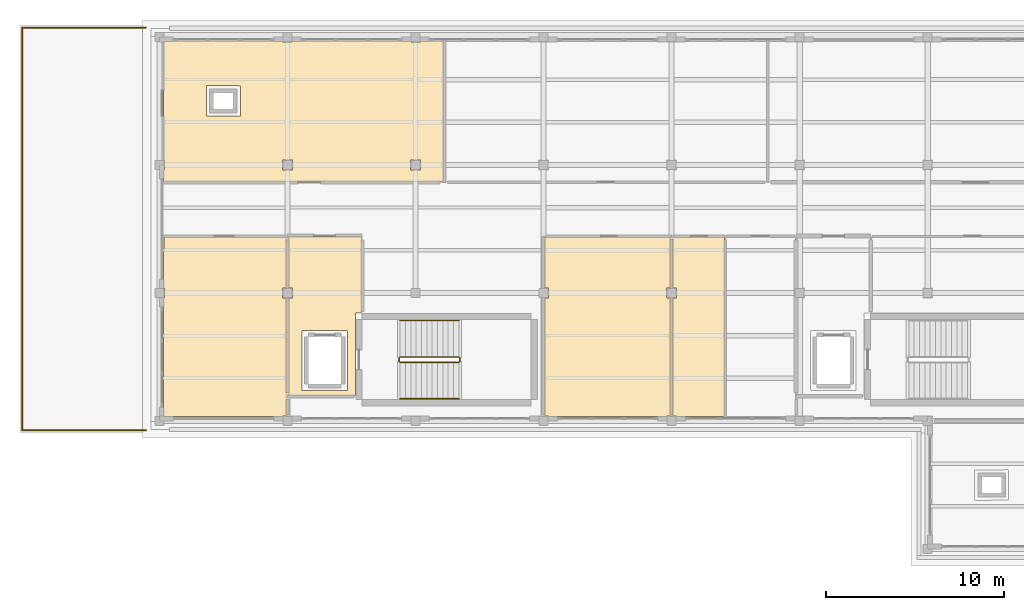
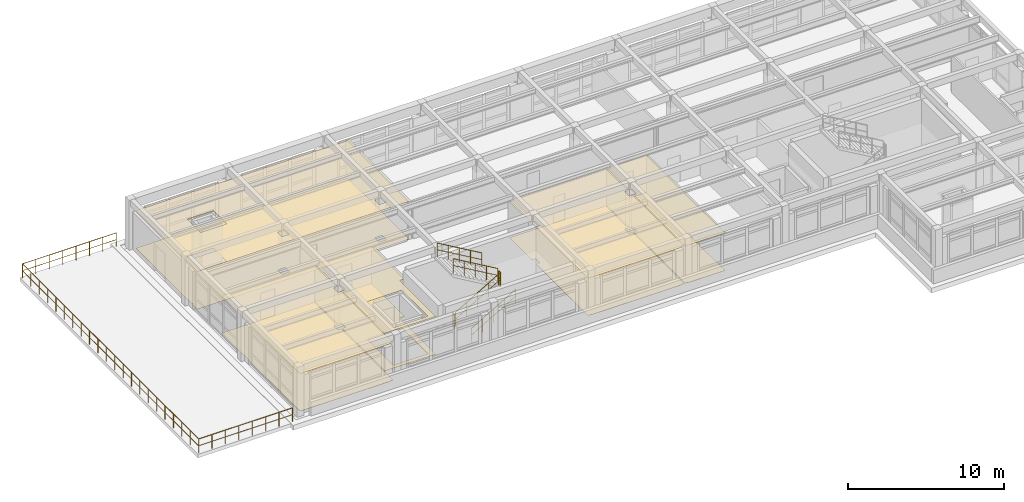
# One storey, part 16 of 18: 10 coverings, 9 railings.
"""IFC4 building model written with IfcOpenShell, lengths in metres."""

from ifc_helpers import new_model, si_unit, direction, frame, origin, origin_2d, place, context, subcontext, project, spatial, polyline, circle, outline, extrude, material, layer, layer_set, type_object, element, save


model = new_model("IFC4")

# Units and contexts
model_context = context("Model", 3, precision=1e-05, world=origin(), true_north=direction((0.0, 1.0)))
body_context = subcontext(model_context, "Body", "Model", "MODEL_VIEW")
ifc_project = project(units=[si_unit("LENGTHUNIT", "METRE"), si_unit("AREAUNIT", "SQUARE_METRE"), si_unit("VOLUMEUNIT", "CUBIC_METRE"), si_unit("PLANEANGLEUNIT", "RADIAN"), si_unit("MASSUNIT", "GRAM", prefix="KILO")], contexts=[model_context])

# Site, building, storey
site_placement = place(None, origin())
site = spatial("IfcSite", under=ifc_project, at=site_placement, CompositionType="ELEMENT")
building_placement = place(site_placement, origin())
building = spatial("IfcBuilding", under=site, at=building_placement, Name="Solenvale Faculty of Natural Sciences", CompositionType="ELEMENT")
storey_placement = place(building_placement, frame((0.0, 0.0, 39.60009765625)))
storey = spatial("IfcBuildingStorey", under=building, at=storey_placement, Name="L09", CompositionType="ELEMENT", Elevation=39.60009765625)

# Coverings
ifc_material_1 = material(Name="Acoustic mineral-timber ceiling", Category="wood")
ifc_layer_1 = layer(ifc_material_1, 0.02490234375)
ifc_layer_set_1 = layer_set([ifc_layer_1], Name="Acoustic mineral-timber ceiling")
covering_type_1 = type_object("IfcCoveringType", Name="COV-CEIL-AC25", PredefinedType="CEILING", material=ifc_layer_set_1)
covering_1_placement = place(storey_placement, frame((0.0, 0.0, 2.934814453125)))
element("IfcCovering", 1, at=covering_1_placement, inside=storey, type_object=covering_type_1, Name="L09 Firefighting Lobby C4 Acoustic Ceiling", PredefinedType="CEILING", context=body_context, shape_type="SweptSolid", body=[
    extrude(outline(polyline([(104.97998046875, 99.7099609375), (104.9560546875, 99.680908203125), (104.64794921875, 99.679931640625), (104.6201171875, 99.652099609375), (104.613037109375, 95.031005859375), (104.590087890625, 95.02001953125), (100.8310546875, 95.027099609375), (100.820068359375, 95.050048828125), (100.820068359375, 100.4951171875), (100.846923828125, 100.52490234375), (101.073974609375, 100.531005859375), (101.074951171875, 101.06396484375), (101.06396484375, 101.074951171875), (100.846923828125, 101.074951171875), (100.820068359375, 101.10205078125), (100.820068359375, 103.949951171875), (100.8291015625, 103.970947265625), (100.85009765625, 103.97998046875), (104.949951171875, 103.97998046875), (104.970947265625, 103.970947265625), (104.97998046875, 103.949951171875), (104.97998046875, 99.7099609375)]), holes=[polyline([(101.64794921875, 98.679931640625), (101.6279296875, 98.669921875), (101.6201171875, 98.64990234375), (101.6259765625, 95.33203125), (101.64990234375, 95.320068359375), (104.16796875, 95.325927734375), (104.179931640625, 95.35009765625), (104.174072265625, 98.66796875), (104.14990234375, 98.679931640625), (101.64794921875, 98.679931640625)])]), origin(), (0.0, 0.0, 1.0), 0.025146484375),
])
covering_2_placement = place(storey_placement, frame((0.0, 0.0, 2.934814453125)))
element("IfcCovering", 2, at=covering_2_placement, inside=storey, type_object=covering_type_1, Name="L09 Biophysics and Neurobiology Research Laboratory Acoustic Ceiling", PredefinedType="CEILING", context=body_context, shape_type="SweptSolid", body=[
    extrude(outline(polyline([(93.840087890625, 114.89501953125), (93.847900390625, 114.916015625), (93.905029296875, 114.9599609375), (100.4951171875, 114.9599609375), (100.535888671875, 114.925048828125), (101.06591796875, 114.925048828125), (101.10498046875, 114.9599609375), (107.695068359375, 114.9599609375), (107.736083984375, 114.925048828125), (108.26611328125, 114.925048828125), (108.304931640625, 114.9599609375), (109.56396484375, 114.9560546875), (109.580078125, 114.929931640625), (109.575927734375, 107.055908203125), (109.550048828125, 107.0400390625), (93.85595703125, 107.0439453125), (93.840087890625, 107.070068359375), (93.840087890625, 107.695068359375), (93.875, 107.73388671875), (93.875, 108.263916015625), (93.840087890625, 108.304931640625), (93.840087890625, 114.89501953125)]), holes=[polyline([(108.263916015625, 107.72509765625), (108.27490234375, 107.736083984375), (108.27197265625, 108.27197265625), (107.72802734375, 108.27197265625), (107.72802734375, 107.72802734375), (108.263916015625, 107.72509765625)]), polyline([(100.52490234375, 107.736083984375), (100.535888671875, 107.72509765625), (101.072021484375, 107.72802734375), (101.072021484375, 108.27197265625), (100.528076171875, 108.27197265625), (100.52490234375, 107.736083984375)]), polyline([(96.26806640625, 112.4599609375), (96.248046875, 112.449951171875), (96.239990234375, 112.429931640625), (96.239990234375, 110.77001953125), (96.25, 110.748046875), (98.1298828125, 110.739990234375), (98.152099609375, 110.75), (98.159912109375, 112.429931640625), (98.14990234375, 112.451904296875), (96.26806640625, 112.4599609375)])]), origin(), (0.0, 0.0, 1.0), 0.025146484375),
])
covering_3_placement = place(storey_placement, frame((0.0, 0.0, 2.934814453125)))
element("IfcCovering", 3, at=covering_3_placement, inside=storey, type_object=covering_type_1, Name="L09 Seminar Room Acoustic Ceiling", PredefinedType="CEILING", context=body_context, shape_type="SweptSolid", body=[
    extrude(outline(polyline([(93.905029296875, 93.840087890625), (93.884033203125, 93.847900390625), (93.840087890625, 93.905029296875), (93.840087890625, 100.4951171875), (93.875, 100.535888671875), (93.875, 101.06591796875), (93.840087890625, 101.10498046875), (93.844970703125, 103.947021484375), (93.8701171875, 103.9599609375), (100.7470703125, 103.955078125), (100.760009765625, 103.929931640625), (100.760009765625, 101.10205078125), (100.73291015625, 101.074951171875), (100.52587890625, 101.069091796875), (100.52490234375, 100.535888671875), (100.533935546875, 100.52490234375), (100.736083984375, 100.52392578125), (100.760009765625, 100.4951171875), (100.760009765625, 95.0), (100.780029296875, 94.950927734375), (100.77490234375, 93.887939453125), (100.7529296875, 93.875), (100.532958984375, 93.875), (100.4951171875, 93.840087890625), (93.905029296875, 93.840087890625)])), origin(), (0.0, 0.0, 1.0), 0.025146484375),
])
covering_4_placement = place(storey_placement, frame((0.0, 0.0, 2.934814453125)))
element("IfcCovering", 4, at=covering_4_placement, inside=storey, type_object=covering_type_1, Name="L09 Public Washroom Acoustic Ceiling", PredefinedType="CEILING", context=body_context, shape_type="SweptSolid", body=[
    extrude(outline(polyline([(115.5048828125, 93.840087890625), (115.467041015625, 93.875), (115.2470703125, 93.875), (115.219970703125, 93.905029296875), (115.219970703125, 100.4951171875), (115.243896484375, 100.52392578125), (115.464111328125, 100.52490234375), (115.47509765625, 100.535888671875), (115.47412109375, 101.069091796875), (115.2470703125, 101.074951171875), (115.219970703125, 101.10205078125), (115.22509765625, 103.947021484375), (115.25, 103.9599609375), (122.366943359375, 103.955078125), (122.3798828125, 103.929931640625), (122.3798828125, 101.10205078125), (122.35302734375, 101.074951171875), (122.1259765625, 101.069091796875), (122.125, 100.535888671875), (122.135986328125, 100.52490234375), (122.35595703125, 100.52392578125), (122.3798828125, 100.4951171875), (122.375, 93.887939453125), (122.35302734375, 93.875), (122.133056640625, 93.875), (122.094970703125, 93.840087890625), (115.5048828125, 93.840087890625)])), origin(), (0.0, 0.0, 1.0), 0.025146484375),
])
covering_5_placement = place(storey_placement, frame((0.0, 0.0, 2.934814453125)))
element("IfcCovering", 5, at=covering_5_placement, inside=storey, type_object=covering_type_1, Name="L09 Accessible Washroom Acoustic Ceiling", PredefinedType="CEILING", context=body_context, shape_type="SweptSolid", body=[
    extrude(outline(polyline([(122.705078125, 93.840087890625), (122.6669921875, 93.875), (122.467041015625, 93.875), (122.43994140625, 93.905029296875), (122.43994140625, 100.4951171875), (122.464111328125, 100.52392578125), (122.666015625, 100.52490234375), (122.675048828125, 100.535888671875), (122.674072265625, 101.069091796875), (122.467041015625, 101.074951171875), (122.43994140625, 101.10205078125), (122.44091796875, 103.93896484375), (122.469970703125, 103.9599609375), (125.35888671875, 103.958984375), (125.3798828125, 103.929931640625), (125.37890625, 93.861083984375), (125.35009765625, 93.840087890625), (122.705078125, 93.840087890625)])), origin(), (0.0, 0.0, 1.0), 0.025146484375),
])
ifc_material_2 = material(Name="Polished slate terrazzo flooring", Category="masonry")
ifc_layer_2 = layer(ifc_material_2, 0.01806640625)
ifc_layer_set_2 = layer_set([ifc_layer_2], Name="Polished slate terrazzo flooring")
covering_type_2 = type_object("IfcCoveringType", Name="COV-FLR-TRZ18", PredefinedType="FLOORING", material=ifc_layer_set_2)
covering_6_placement = place(storey_placement, origin())
element("IfcCovering", 6, at=covering_6_placement, inside=storey, type_object=covering_type_2, Name="L09 Firefighting Lobby C4 Floor Finish", PredefinedType="FLOORING", context=body_context, shape_type="SweptSolid", body=[
    extrude(outline(polyline([(104.97998046875, 99.7099609375), (104.9560546875, 99.680908203125), (104.64794921875, 99.679931640625), (104.6201171875, 99.652099609375), (104.613037109375, 95.031005859375), (104.590087890625, 95.02001953125), (100.8310546875, 95.027099609375), (100.820068359375, 95.050048828125), (100.820068359375, 100.4951171875), (100.846923828125, 100.52490234375), (101.073974609375, 100.531005859375), (101.074951171875, 101.06396484375), (101.06396484375, 101.074951171875), (100.846923828125, 101.074951171875), (100.820068359375, 101.10205078125), (100.820068359375, 103.949951171875), (100.8291015625, 103.970947265625), (100.85009765625, 103.97998046875), (104.949951171875, 103.97998046875), (104.970947265625, 103.970947265625), (104.97998046875, 103.949951171875), (104.97998046875, 99.7099609375)]), holes=[polyline([(101.64794921875, 98.679931640625), (101.6279296875, 98.669921875), (101.6201171875, 98.64990234375), (101.6259765625, 95.33203125), (101.64990234375, 95.320068359375), (104.16796875, 95.325927734375), (104.179931640625, 95.35009765625), (104.174072265625, 98.66796875), (104.14990234375, 98.679931640625), (101.64794921875, 98.679931640625)])]), origin(), (0.0, 0.0, 1.0), 0.017822265625),
])
covering_7_placement = place(storey_placement, origin())
element("IfcCovering", 7, at=covering_7_placement, inside=storey, type_object=covering_type_2, Name="L09 Seminar Room Floor Finish", PredefinedType="FLOORING", context=body_context, shape_type="SweptSolid", body=[
    extrude(outline(polyline([(93.905029296875, 93.840087890625), (93.884033203125, 93.847900390625), (93.840087890625, 93.905029296875), (93.840087890625, 100.4951171875), (93.875, 100.535888671875), (93.875, 101.06591796875), (93.840087890625, 101.10498046875), (93.844970703125, 103.947021484375), (93.8701171875, 103.9599609375), (100.7470703125, 103.955078125), (100.760009765625, 103.929931640625), (100.760009765625, 101.10205078125), (100.73291015625, 101.074951171875), (100.52587890625, 101.069091796875), (100.52490234375, 100.535888671875), (100.533935546875, 100.52490234375), (100.736083984375, 100.52392578125), (100.760009765625, 100.4951171875), (100.760009765625, 95.0), (100.780029296875, 94.950927734375), (100.77490234375, 93.887939453125), (100.7529296875, 93.875), (100.532958984375, 93.875), (100.4951171875, 93.840087890625), (93.905029296875, 93.840087890625)])), origin(), (0.0, 0.0, 1.0), 0.017822265625),
])
covering_8_placement = place(storey_placement, origin())
element("IfcCovering", 8, at=covering_8_placement, inside=storey, type_object=covering_type_2, Name="L09 Public Washroom Floor Finish", PredefinedType="FLOORING", context=body_context, shape_type="SweptSolid", body=[
    extrude(outline(polyline([(115.5048828125, 93.840087890625), (115.467041015625, 93.875), (115.2470703125, 93.875), (115.219970703125, 93.905029296875), (115.219970703125, 100.4951171875), (115.243896484375, 100.52392578125), (115.464111328125, 100.52490234375), (115.47509765625, 100.535888671875), (115.47412109375, 101.069091796875), (115.2470703125, 101.074951171875), (115.219970703125, 101.10205078125), (115.22509765625, 103.947021484375), (115.25, 103.9599609375), (122.366943359375, 103.955078125), (122.3798828125, 103.929931640625), (122.3798828125, 101.10205078125), (122.35302734375, 101.074951171875), (122.1259765625, 101.069091796875), (122.125, 100.535888671875), (122.135986328125, 100.52490234375), (122.35595703125, 100.52392578125), (122.3798828125, 100.4951171875), (122.375, 93.887939453125), (122.35302734375, 93.875), (122.133056640625, 93.875), (122.094970703125, 93.840087890625), (115.5048828125, 93.840087890625)])), origin(), (0.0, 0.0, 1.0), 0.017822265625),
])
covering_9_placement = place(storey_placement, origin())
element("IfcCovering", 9, at=covering_9_placement, inside=storey, type_object=covering_type_2, Name="L09 Accessible Washroom Floor Finish", PredefinedType="FLOORING", context=body_context, shape_type="SweptSolid", body=[
    extrude(outline(polyline([(122.705078125, 93.840087890625), (122.6669921875, 93.875), (122.467041015625, 93.875), (122.43994140625, 93.905029296875), (122.43994140625, 100.4951171875), (122.464111328125, 100.52392578125), (122.666015625, 100.52490234375), (122.675048828125, 100.535888671875), (122.674072265625, 101.069091796875), (122.467041015625, 101.074951171875), (122.43994140625, 101.10205078125), (122.44091796875, 103.93896484375), (122.469970703125, 103.9599609375), (125.35888671875, 103.958984375), (125.3798828125, 103.929931640625), (125.37890625, 93.861083984375), (125.35009765625, 93.840087890625), (122.705078125, 93.840087890625)])), origin(), (0.0, 0.0, 1.0), 0.017822265625),
])
ifc_material_3 = material(Name="Seamless laboratory vinyl flooring")
ifc_layer_3 = layer(ifc_material_3, 0.008056640625)
ifc_layer_set_3 = layer_set([ifc_layer_3], Name="Seamless laboratory vinyl flooring")
covering_type_3 = type_object("IfcCoveringType", Name="COV-FLR-VNL08", PredefinedType="FLOORING", material=ifc_layer_set_3)
covering_10_placement = place(storey_placement, origin())
element("IfcCovering", 10, at=covering_10_placement, inside=storey, type_object=covering_type_3, Name="L09 Biophysics and Neurobiology Research Laboratory Floor Finish", PredefinedType="FLOORING", context=body_context, shape_type="SweptSolid", body=[
    extrude(outline(polyline([(93.840087890625, 114.89501953125), (93.847900390625, 114.916015625), (93.905029296875, 114.9599609375), (100.4951171875, 114.9599609375), (100.535888671875, 114.925048828125), (101.06591796875, 114.925048828125), (101.10498046875, 114.9599609375), (107.695068359375, 114.9599609375), (107.736083984375, 114.925048828125), (108.26611328125, 114.925048828125), (108.304931640625, 114.9599609375), (109.56396484375, 114.9560546875), (109.580078125, 114.929931640625), (109.575927734375, 107.055908203125), (109.550048828125, 107.0400390625), (93.85595703125, 107.0439453125), (93.840087890625, 107.070068359375), (93.840087890625, 107.695068359375), (93.875, 107.73388671875), (93.875, 108.263916015625), (93.840087890625, 108.304931640625), (93.840087890625, 114.89501953125)]), holes=[polyline([(108.263916015625, 107.72509765625), (108.27490234375, 107.736083984375), (108.27197265625, 108.27197265625), (107.72802734375, 108.27197265625), (107.72802734375, 107.72802734375), (108.263916015625, 107.72509765625)]), polyline([(100.52490234375, 107.736083984375), (100.535888671875, 107.72509765625), (101.072021484375, 107.72802734375), (101.072021484375, 108.27197265625), (100.528076171875, 108.27197265625), (100.52490234375, 107.736083984375)]), polyline([(96.26806640625, 112.4599609375), (96.248046875, 112.449951171875), (96.239990234375, 112.429931640625), (96.239990234375, 110.77001953125), (96.25, 110.748046875), (98.1298828125, 110.739990234375), (98.152099609375, 110.75), (98.159912109375, 112.429931640625), (98.14990234375, 112.451904296875), (96.26806640625, 112.4599609375)])]), origin(), (0.0, 0.0, 1.0), 0.0078125),
])

# Railings
ifc_material_4 = material(Name="Stainless steel Grade 304", Category="steel")
railing_type_1 = type_object("IfcRailingType", Name="RL-GRD-1100", PredefinedType="GUARDRAIL", material=ifc_material_4)
railing_1_placement = place(storey_placement, frame((107.139892578125, 96.89990234375, 0.1748046875)))
element("IfcRailing", 11, at=railing_1_placement, inside=storey, type_object=railing_type_1, Name="L09 ST-04 stair guard 1", PredefinedType="GUARDRAIL", context=body_context, shape_type="SweptSolid", body=[
    extrude(circle(Radius=0.02392578125, at=origin_2d()), frame((0.0, 0.0, 1.09619140625), z_axis=(0.863776583165, 0.0, 0.503874998761), x_axis=(0.0, 1.0, 0.0)), (0.0, 0.0, 1.0), 3.820556640625),
    extrude(circle(Radius=0.01611328125, at=origin_2d()), frame((0.0, 0.0, 0.56005859375), z_axis=(0.863776583165, 0.0, 0.503874998761), x_axis=(0.0, 1.0, 0.0)), (0.0, 0.0, 1.0), 3.820556640625),
    extrude(circle(Radius=0.02099609375, at=origin_2d()), origin(), (0.0, 0.0, 1.0), 1.072021484375),
    extrude(circle(Radius=0.02099609375, at=origin_2d()), frame((0.824951171875, 0.0, 0.481201171875)), (0.0, 0.0, 1.0), 1.072021484375),
    extrude(circle(Radius=0.02099609375, at=origin_2d()), frame((1.64990234375, 0.0, 0.96240234375)), (0.0, 0.0, 1.0), 1.072021484375),
    extrude(circle(Radius=0.02099609375, at=origin_2d()), frame((2.47509765625, 0.0, 1.44384765625)), (0.0, 0.0, 1.0), 1.072021484375),
    extrude(circle(Radius=0.02099609375, at=origin_2d()), frame((3.300048828125, 0.0, 1.925048828125)), (0.0, 0.0, 1.0), 1.072021484375),
])
railing_2_placement = place(storey_placement, frame((110.489990234375, 96.949951171875, 2.099853515625)))
element("IfcRailing", 12, at=railing_2_placement, inside=storey, type_object=railing_type_1, Name="L09 ST-04 stair guard 2", PredefinedType="GUARDRAIL", context=body_context, shape_type="SweptSolid", body=[
    extrude(circle(Radius=0.02392578125, at=origin_2d()), frame((0.0, 0.0, 1.09619140625), z_axis=(0.0, 1.0, 0.0), x_axis=(-1.0, 0.0, 0.0)), (0.0, 0.0, 1.0), 0.199951171875),
    extrude(circle(Radius=0.01611328125, at=origin_2d()), frame((0.0, 0.0, 0.56005859375), z_axis=(0.0, 1.0, 0.0), x_axis=(-1.0, 0.0, 0.0)), (0.0, 0.0, 1.0), 0.199951171875),
    extrude(circle(Radius=0.02099609375, at=origin_2d()), origin(), (0.0, 0.0, 1.0), 1.072021484375),
    extrude(circle(Radius=0.02099609375, at=origin_2d()), frame((0.0, 0.199951171875, 0.0)), (0.0, 0.0, 1.0), 1.072021484375),
])
railing_3_placement = place(storey_placement, frame((110.43994140625, 97.199951171875, 2.27490234375)))
element("IfcRailing", 13, at=railing_3_placement, inside=storey, type_object=railing_type_1, Name="L09 ST-04 stair guard 3", PredefinedType="GUARDRAIL", context=body_context, shape_type="SweptSolid", body=[
    extrude(circle(Radius=0.02392578125, at=origin_2d()), frame((0.0, 0.0, 1.09619140625), z_axis=(-0.863776583165, 0.0, 0.503874998761), x_axis=(0.0, -1.0, 0.0)), (0.0, 0.0, 1.0), 3.820556640625),
    extrude(circle(Radius=0.01611328125, at=origin_2d()), frame((0.0, 0.0, 0.56005859375), z_axis=(-0.863776583165, 0.0, 0.503874998761), x_axis=(0.0, -1.0, 0.0)), (0.0, 0.0, 1.0), 3.820556640625),
    extrude(circle(Radius=0.02099609375, at=origin_2d()), origin(), (0.0, 0.0, 1.0), 1.072021484375),
    extrude(circle(Radius=0.02099609375, at=origin_2d()), frame((-0.824951171875, 0.0, 0.481201171875)), (0.0, 0.0, 1.0), 1.072021484375),
    extrude(circle(Radius=0.02099609375, at=origin_2d()), frame((-1.64990234375, 0.0, 0.96240234375)), (0.0, 0.0, 1.0), 1.072021484375),
    extrude(circle(Radius=0.02099609375, at=origin_2d()), frame((-2.47509765625, 0.0, 1.44384765625)), (0.0, 0.0, 1.0), 1.072021484375),
    extrude(circle(Radius=0.02099609375, at=origin_2d()), frame((-3.300048828125, 0.0, 1.925048828125)), (0.0, 0.0, 1.0), 1.072021484375),
])
railing_4_placement = place(storey_placement, frame((107.090087890625, 96.949951171875, 0.0)))
element("IfcRailing", 14, at=railing_4_placement, inside=storey, type_object=railing_type_1, Name="L09 ST-04 stair guard 4", PredefinedType="GUARDRAIL", context=body_context, shape_type="SweptSolid", body=[
    extrude(circle(Radius=0.02392578125, at=origin_2d()), frame((0.0, 0.0, 1.09619140625), z_axis=(0.0, 1.0, 0.0), x_axis=(-1.0, 0.0, 0.0)), (0.0, 0.0, 1.0), 0.199951171875),
    extrude(circle(Radius=0.01611328125, at=origin_2d()), frame((0.0, 0.0, 0.56005859375), z_axis=(0.0, 1.0, 0.0), x_axis=(-1.0, 0.0, 0.0)), (0.0, 0.0, 1.0), 0.199951171875),
    extrude(circle(Radius=0.02099609375, at=origin_2d()), origin(), (0.0, 0.0, 1.0), 1.072021484375),
    extrude(circle(Radius=0.02099609375, at=origin_2d()), frame((0.0, 0.199951171875, 0.0)), (0.0, 0.0, 1.0), 1.072021484375),
])
railing_type_2 = type_object("IfcRailingType", Name="RL-HND-900", PredefinedType="HANDRAIL", material=ifc_material_4)
railing_5_placement = place(storey_placement, frame((107.139892578125, 94.85009765625, 0.1748046875)))
element("IfcRailing", 15, at=railing_5_placement, inside=storey, type_object=railing_type_2, Name="L09 ST-04 stair handrail 1", PredefinedType="HANDRAIL", context=body_context, shape_type="SweptSolid", body=[
    extrude(circle(Radius=0.02392578125, at=origin_2d()), frame((0.0, 0.0, 1.0751953125), z_axis=(0.863776583165, 0.0, 0.503874998761), x_axis=(0.0, 1.0, 0.0)), (0.0, 0.0, 1.0), 3.820556640625),
    extrude(circle(Radius=0.01611328125, at=origin_2d()), frame((0.0, 0.0, 0.549560546875), z_axis=(0.863776583165, 0.0, 0.503874998761), x_axis=(0.0, 1.0, 0.0)), (0.0, 0.0, 1.0), 3.820556640625),
    extrude(circle(Radius=0.02099609375, at=origin_2d()), origin(), (0.0, 0.0, 1.0), 1.051025390625),
    extrude(circle(Radius=0.02099609375, at=origin_2d()), frame((0.824951171875, 0.0, 0.481201171875)), (0.0, 0.0, 1.0), 1.051025390625),
    extrude(circle(Radius=0.02099609375, at=origin_2d()), frame((1.64990234375, 0.0, 0.96240234375)), (0.0, 0.0, 1.0), 1.051025390625),
    extrude(circle(Radius=0.02099609375, at=origin_2d()), frame((2.47509765625, 0.0, 1.44384765625)), (0.0, 0.0, 1.0), 1.051025390625),
    extrude(circle(Radius=0.02099609375, at=origin_2d()), frame((3.300048828125, 0.0, 1.925048828125)), (0.0, 0.0, 1.0), 1.051025390625),
])
railing_6_placement = place(storey_placement, frame((110.43994140625, 99.25, 2.27490234375)))
element("IfcRailing", 16, at=railing_6_placement, inside=storey, type_object=railing_type_2, Name="L09 ST-04 stair handrail 2", PredefinedType="HANDRAIL", context=body_context, shape_type="SweptSolid", body=[
    extrude(circle(Radius=0.02392578125, at=origin_2d()), frame((0.0, 0.0, 1.0751953125), z_axis=(-0.863776583165, 0.0, 0.503874998761), x_axis=(0.0, -1.0, 0.0)), (0.0, 0.0, 1.0), 3.820556640625),
    extrude(circle(Radius=0.01611328125, at=origin_2d()), frame((0.0, 0.0, 0.549560546875), z_axis=(-0.863776583165, 0.0, 0.503874998761), x_axis=(0.0, -1.0, 0.0)), (0.0, 0.0, 1.0), 3.820556640625),
    extrude(circle(Radius=0.02099609375, at=origin_2d()), origin(), (0.0, 0.0, 1.0), 1.051025390625),
    extrude(circle(Radius=0.02099609375, at=origin_2d()), frame((-0.824951171875, 0.0, 0.481201171875)), (0.0, 0.0, 1.0), 1.051025390625),
    extrude(circle(Radius=0.02099609375, at=origin_2d()), frame((-1.64990234375, 0.0, 0.96240234375)), (0.0, 0.0, 1.0), 1.051025390625),
    extrude(circle(Radius=0.02099609375, at=origin_2d()), frame((-2.47509765625, 0.0, 1.44384765625)), (0.0, 0.0, 1.0), 1.051025390625),
    extrude(circle(Radius=0.02099609375, at=origin_2d()), frame((-3.300048828125, 0.0, 1.925048828125)), (0.0, 0.0, 1.0), 1.051025390625),
])
railing_type_3 = type_object("IfcRailingType", Name="RL-TERR-1100", PredefinedType="GUARDRAIL", material=ifc_material_4)
railing_7_placement = place(storey_placement, frame((92.840087890625, 93.080078125, 0.0)))
element("IfcRailing", 17, at=railing_7_placement, inside=storey, type_object=railing_type_3, Name="L09 Terrace Guardrail 1.2", PredefinedType="GUARDRAIL", context=body_context, shape_type="SweptSolid", body=[
    extrude(circle(Radius=0.02392578125, at=origin_2d()), frame((0.0, 0.0, 1.09619140625), z_axis=(-1.0, 0.0, 0.0), x_axis=(0.0, -1.0, 0.0)), (0.0, 0.0, 1.0), 6.960205078125),
    extrude(circle(Radius=0.01611328125, at=origin_2d()), frame((0.0, 0.0, 0.56005859375), z_axis=(-1.0, 0.0, 0.0), x_axis=(0.0, -1.0, 0.0)), (0.0, 0.0, 1.0), 6.960205078125),
    extrude(circle(Radius=0.02099609375, at=origin_2d()), origin(), (0.0, 0.0, 1.0), 1.072021484375),
    extrude(circle(Radius=0.02099609375, at=origin_2d()), frame((-0.994384765625, 0.0, 0.0)), (0.0, 0.0, 1.0), 1.072021484375),
    extrude(circle(Radius=0.02099609375, at=origin_2d()), frame((-1.988525390625, 0.0, 0.0)), (0.0, 0.0, 1.0), 1.072021484375),
    extrude(circle(Radius=0.02099609375, at=origin_2d()), frame((-2.98291015625, 0.0, 0.0)), (0.0, 0.0, 1.0), 1.072021484375),
    extrude(circle(Radius=0.02099609375, at=origin_2d()), frame((-3.977294921875, 0.0, 0.0)), (0.0, 0.0, 1.0), 1.072021484375),
    extrude(circle(Radius=0.02099609375, at=origin_2d()), frame((-4.9716796875, 0.0, 0.0)), (0.0, 0.0, 1.0), 1.072021484375),
    extrude(circle(Radius=0.02099609375, at=origin_2d()), frame((-5.9658203125, 0.0, 0.0)), (0.0, 0.0, 1.0), 1.072021484375),
    extrude(circle(Radius=0.02099609375, at=origin_2d()), frame((-6.960205078125, 0.0, 0.0)), (0.0, 0.0, 1.0), 1.072021484375),
])
railing_8_placement = place(storey_placement, frame((85.8798828125, 93.080078125, 0.0)))
element("IfcRailing", 18, at=railing_8_placement, inside=storey, type_object=railing_type_3, Name="L09 Terrace Guardrail 1.3", PredefinedType="GUARDRAIL", context=body_context, shape_type="SweptSolid", body=[
    extrude(circle(Radius=0.02392578125, at=origin_2d()), frame((0.0, 0.0, 1.09619140625), z_axis=(0.0, 1.0, 0.0), x_axis=(-1.0, 0.0, 0.0)), (0.0, 0.0, 1.0), 22.639892578125),
    extrude(circle(Radius=0.01611328125, at=origin_2d()), frame((0.0, 0.0, 0.56005859375), z_axis=(0.0, 1.0, 0.0), x_axis=(-1.0, 0.0, 0.0)), (0.0, 0.0, 1.0), 22.639892578125),
    extrude(circle(Radius=0.02099609375, at=origin_2d()), origin(), (0.0, 0.0, 1.0), 1.072021484375),
    extrude(circle(Radius=0.02099609375, at=origin_2d()), frame((0.0, 1.078125, 0.0)), (0.0, 0.0, 1.0), 1.072021484375),
    extrude(circle(Radius=0.02099609375, at=origin_2d()), frame((0.0, 2.15625, 0.0)), (0.0, 0.0, 1.0), 1.072021484375),
    extrude(circle(Radius=0.02099609375, at=origin_2d()), frame((0.0, 3.234375, 0.0)), (0.0, 0.0, 1.0), 1.072021484375),
    extrude(circle(Radius=0.02099609375, at=origin_2d()), frame((0.0, 4.312255859375, 0.0)), (0.0, 0.0, 1.0), 1.072021484375),
    extrude(circle(Radius=0.02099609375, at=origin_2d()), frame((0.0, 5.390380859375, 0.0)), (0.0, 0.0, 1.0), 1.072021484375),
    extrude(circle(Radius=0.02099609375, at=origin_2d()), frame((0.0, 6.468505859375, 0.0)), (0.0, 0.0, 1.0), 1.072021484375),
    extrude(circle(Radius=0.02099609375, at=origin_2d()), frame((0.0, 7.546630859375, 0.0)), (0.0, 0.0, 1.0), 1.072021484375),
    extrude(circle(Radius=0.02099609375, at=origin_2d()), frame((0.0, 8.624755859375, 0.0)), (0.0, 0.0, 1.0), 1.072021484375),
    extrude(circle(Radius=0.02099609375, at=origin_2d()), frame((0.0, 9.702880859375, 0.0)), (0.0, 0.0, 1.0), 1.072021484375),
    extrude(circle(Radius=0.02099609375, at=origin_2d()), frame((0.0, 10.781005859375, 0.0)), (0.0, 0.0, 1.0), 1.072021484375),
    extrude(circle(Radius=0.02099609375, at=origin_2d()), frame((0.0, 11.85888671875, 0.0)), (0.0, 0.0, 1.0), 1.072021484375),
    extrude(circle(Radius=0.02099609375, at=origin_2d()), frame((0.0, 12.93701171875, 0.0)), (0.0, 0.0, 1.0), 1.072021484375),
    extrude(circle(Radius=0.02099609375, at=origin_2d()), frame((0.0, 14.01513671875, 0.0)), (0.0, 0.0, 1.0), 1.072021484375),
    extrude(circle(Radius=0.02099609375, at=origin_2d()), frame((0.0, 15.09326171875, 0.0)), (0.0, 0.0, 1.0), 1.072021484375),
    extrude(circle(Radius=0.02099609375, at=origin_2d()), frame((0.0, 16.17138671875, 0.0)), (0.0, 0.0, 1.0), 1.072021484375),
    extrude(circle(Radius=0.02099609375, at=origin_2d()), frame((0.0, 17.24951171875, 0.0)), (0.0, 0.0, 1.0), 1.072021484375),
    extrude(circle(Radius=0.02099609375, at=origin_2d()), frame((0.0, 18.32763671875, 0.0)), (0.0, 0.0, 1.0), 1.072021484375),
    extrude(circle(Radius=0.02099609375, at=origin_2d()), frame((0.0, 19.405517578125, 0.0)), (0.0, 0.0, 1.0), 1.072021484375),
    extrude(circle(Radius=0.02099609375, at=origin_2d()), frame((0.0, 20.483642578125, 0.0)), (0.0, 0.0, 1.0), 1.072021484375),
    extrude(circle(Radius=0.02099609375, at=origin_2d()), frame((0.0, 21.561767578125, 0.0)), (0.0, 0.0, 1.0), 1.072021484375),
    extrude(circle(Radius=0.02099609375, at=origin_2d()), frame((0.0, 22.639892578125, 0.0)), (0.0, 0.0, 1.0), 1.072021484375),
])
railing_9_placement = place(storey_placement, frame((85.8798828125, 115.719970703125, 0.0)))
element("IfcRailing", 19, at=railing_9_placement, inside=storey, type_object=railing_type_3, Name="L09 Terrace Guardrail 1.4", PredefinedType="GUARDRAIL", context=body_context, shape_type="SweptSolid", body=[
    extrude(circle(Radius=0.02392578125, at=origin_2d()), frame((0.0, 0.0, 1.09619140625), z_axis=(1.0, 0.0, 0.0), x_axis=(0.0, 1.0, 0.0)), (0.0, 0.0, 1.0), 6.960205078125),
    extrude(circle(Radius=0.01611328125, at=origin_2d()), frame((0.0, 0.0, 0.56005859375), z_axis=(1.0, 0.0, 0.0), x_axis=(0.0, 1.0, 0.0)), (0.0, 0.0, 1.0), 6.960205078125),
    extrude(circle(Radius=0.02099609375, at=origin_2d()), origin(), (0.0, 0.0, 1.0), 1.072021484375),
    extrude(circle(Radius=0.02099609375, at=origin_2d()), frame((0.994384765625, 0.0, 0.0)), (0.0, 0.0, 1.0), 1.072021484375),
    extrude(circle(Radius=0.02099609375, at=origin_2d()), frame((1.988525390625, 0.0, 0.0)), (0.0, 0.0, 1.0), 1.072021484375),
    extrude(circle(Radius=0.02099609375, at=origin_2d()), frame((2.98291015625, 0.0, 0.0)), (0.0, 0.0, 1.0), 1.072021484375),
    extrude(circle(Radius=0.02099609375, at=origin_2d()), frame((3.977294921875, 0.0, 0.0)), (0.0, 0.0, 1.0), 1.072021484375),
    extrude(circle(Radius=0.02099609375, at=origin_2d()), frame((4.9716796875, 0.0, 0.0)), (0.0, 0.0, 1.0), 1.072021484375),
    extrude(circle(Radius=0.02099609375, at=origin_2d()), frame((5.9658203125, 0.0, 0.0)), (0.0, 0.0, 1.0), 1.072021484375),
    extrude(circle(Radius=0.02099609375, at=origin_2d()), frame((6.960205078125, 0.0, 0.0)), (0.0, 0.0, 1.0), 1.072021484375),
])

save(model, "model.ifc")
